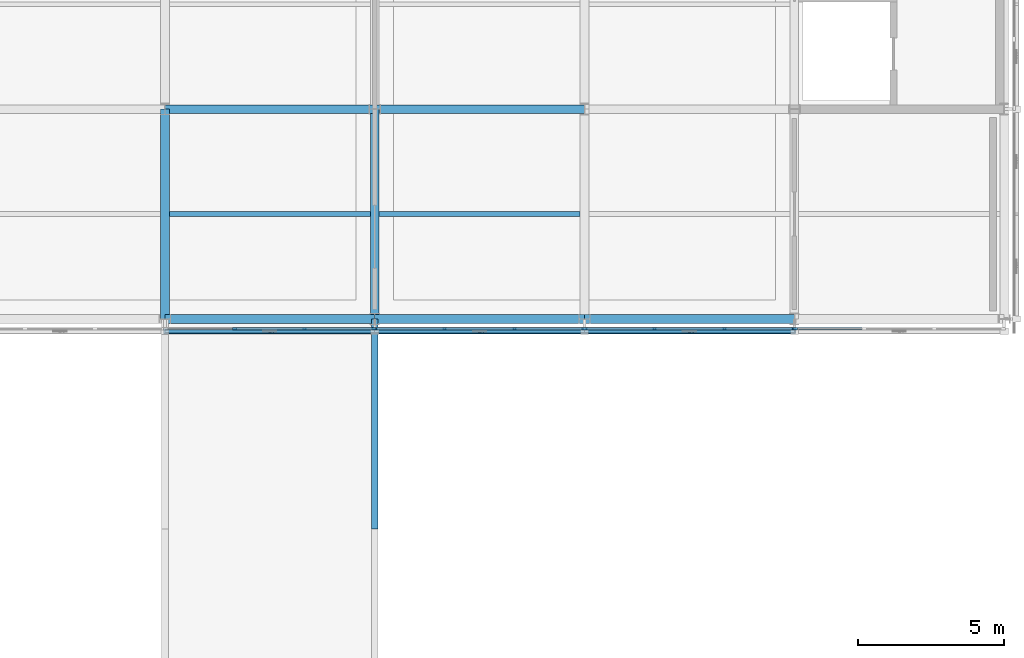
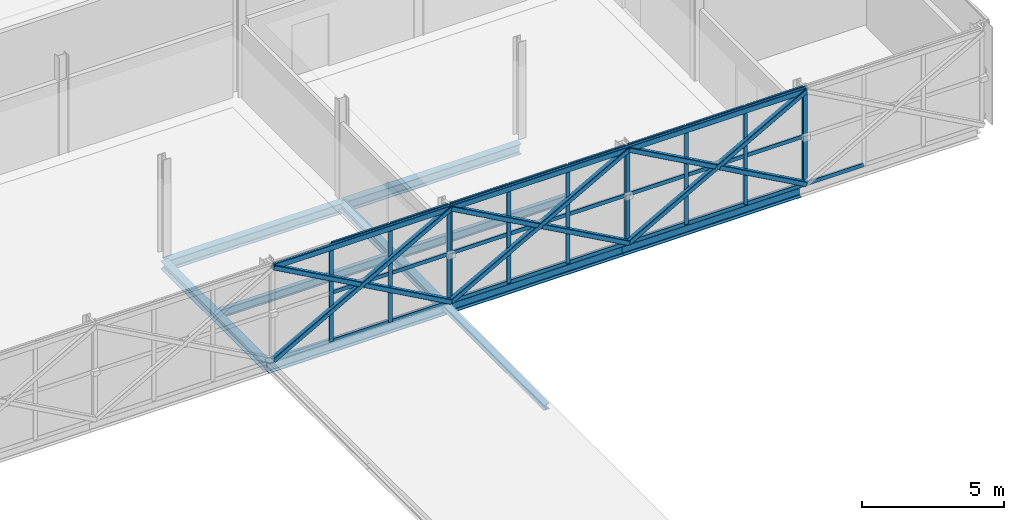
# One storey, part 51 of 126: 49 members, 10 beams, 4 elements without a shape of their own.
"""IFC4 building model written with IfcOpenShell, lengths in metres."""

import ifcopenshell
import ifcopenshell.guid

model = None  # the IFC model being written
_history = None  # IfcOwnerHistory: only IFC2X3 demands one
_inside = {}  # id of a spatial element -> (the spatial element, [elements in it])
_under = {}  # id of a project, library or spatial element -> (it, [spatial elements below it])
_declared = {}  # id of a project -> (the project, [libraries it declares])
_typed = {}  # id of a type object -> (the type object, [elements of that type])
_made_of = {}  # id of a material, layer set ... -> (it, [elements and type objects made of it])


def new_model(schema):
    """Start an empty IFC model of exactly this schema.

    Asked for "IFC4X3", IfcOpenShell would pick the latest addendum, in which some entities
    have other attributes; the version numbers below select the first issue.
    IFC2X3 requires an IfcOwnerHistory on every rooted entity: one is made here for all.
    """
    global model, _history
    if schema == "IFC4X3":
        model = ifcopenshell.file(schema_version=(4, 3, 0, 0))
    else:
        model = ifcopenshell.file(schema=schema)
    _inside.clear()
    _under.clear()
    _declared.clear()
    _typed.clear()
    _made_of.clear()
    _history = None
    if model.schema == "IFC2X3":
        org = make("IfcOrganization", Name="unknown")
        user = make(
            "IfcPersonAndOrganization",
            ThePerson=make("IfcPerson", FamilyName="unknown"),
            TheOrganization=org,
        )
        app = make(
            "IfcApplication",
            ApplicationDeveloper=org,
            Version="unknown",
            ApplicationFullName="unknown",
            ApplicationIdentifier="unknown",
        )
        _history = make(
            "IfcOwnerHistory",
            OwningUser=user,
            OwningApplication=app,
            ChangeAction="ADDED",
            CreationDate=0,
        )
    return model


def make(cls, **values):
    """One entity of the class cls with the attributes given. An attribute that is None is left unset."""
    return model.create_entity(
        cls, **{name: value for name, value in values.items() if value is not None}
    )


def rooted(cls, **values):
    """An entity with a GlobalId (a new one), such as an element, a storey or a relation."""
    return make(cls, GlobalId=ifcopenshell.guid.new(), OwnerHistory=_history, **values)


def si_unit(unit_type, name, prefix=None):
    """IfcSIUnit, for example si_unit("LENGTHUNIT", "METRE", prefix="MILLI")."""
    return make("IfcSIUnit", UnitType=unit_type, Prefix=prefix, Name=name)


def assignment(units):
    """IfcUnitAssignment: the units of a project."""
    return None if units is None else make("IfcUnitAssignment", Units=units)


def point(xyz):
    """IfcCartesianPoint."""
    return None if xyz is None else make("IfcCartesianPoint", Coordinates=xyz)


def direction(xyz):
    """IfcDirection."""
    return None if xyz is None else make("IfcDirection", DirectionRatios=xyz)


def frame(location, z_axis=None, x_axis=None):
    """IfcAxis2Placement3D, a coordinate frame: its origin and axes. An axis left out is left unset."""
    return make(
        "IfcAxis2Placement3D",
        Location=point(location),
        Axis=direction(z_axis),
        RefDirection=direction(x_axis),
    )


def frame_2d(location, x_axis=None):
    """IfcAxis2Placement2D, a coordinate frame in the plane: its origin and x axis."""
    return make(
        "IfcAxis2Placement2D", Location=point(location), RefDirection=direction(x_axis)
    )


def origin():
    """The frame at (0, 0, 0) with its axes left unset."""
    return frame((0.0, 0.0, 0.0))


def origin_2d():
    """The frame at (0, 0) in the plane with its x axis left unset."""
    return frame_2d((0.0, 0.0))


def place(relative_to, where):
    """IfcLocalPlacement: puts the frame where relative to a parent placement (None: the world)."""
    return make(
        "IfcLocalPlacement", PlacementRelTo=relative_to, RelativePlacement=where
    )


def context(
    kind, dimensions, precision=None, world=None, true_north=None, identifier=None
):
    """IfcGeometricRepresentationContext, for example the 3D "Model" context."""
    return make(
        "IfcGeometricRepresentationContext",
        ContextIdentifier=identifier,
        ContextType=kind,
        CoordinateSpaceDimension=dimensions,
        Precision=precision,
        WorldCoordinateSystem=world,
        TrueNorth=true_north,
    )


def subcontext(parent, identifier, kind, view, scale=None):
    """IfcGeometricRepresentationSubContext, for example "Body" below "Model"."""
    return make(
        "IfcGeometricRepresentationSubContext",
        ContextIdentifier=identifier,
        ContextType=kind,
        ParentContext=parent,
        TargetScale=scale,
        TargetView=view,
    )


def project(units=None, contexts=None):
    """IfcProject with its units and contexts."""
    return rooted(
        "IfcProject",
        Name="project",
        RepresentationContexts=contexts,
        UnitsInContext=assignment(units),
    )


def spatial(cls, under=None, at=None, **own):
    """A site, building, storey or space (cls), placed at a placement, below another one or the project."""
    s = rooted(cls, ObjectPlacement=at, **own)
    if under is not None:
        _under.setdefault(under.id(), (under, []))[1].append(s)
    return s


def profile(cls, at=None, kind="AREA", **sizes):
    """A parametric profile (cls). Its sizes go by their IFC names, for example OverallWidth=200.0."""
    return make(cls, ProfileType=kind, Position=at, **sizes)


def rectangle(**sizes):
    """IfcRectangleProfileDef."""
    return profile("IfcRectangleProfileDef", **sizes)


def hollow_rectangle(**sizes):
    """IfcRectangleHollowProfileDef."""
    return profile("IfcRectangleHollowProfileDef", **sizes)


def i_section(**sizes):
    """IfcIShapeProfileDef."""
    return profile("IfcIShapeProfileDef", **sizes)


def extrude(swept, where, along, depth):
    """IfcExtrudedAreaSolid: the profile swept, set in the frame where, extruded along a direction by depth."""
    return make(
        "IfcExtrudedAreaSolid",
        SweptArea=swept,
        Position=where,
        ExtrudedDirection=direction(along),
        Depth=depth,
    )


def shape(context_of_items, identifier, shape_type, items):
    """IfcShapeRepresentation: the items that make up one representation, for example the "Body"."""
    return make(
        "IfcShapeRepresentation",
        ContextOfItems=context_of_items,
        RepresentationIdentifier=identifier,
        RepresentationType=shape_type,
        Items=items,
    )


def material(Name=None, Category=None):
    """IfcMaterial."""
    return make("IfcMaterial", Name=Name, Category=Category)


def material_profile(
    of_material, cross_section, Name=None, Category=None, Priority=None
):
    """IfcMaterialProfile: a cross section and its material."""
    return make(
        "IfcMaterialProfile",
        Name=Name,
        Material=of_material,
        Profile=cross_section,
        Priority=Priority,
        Category=Category,
    )


def profile_set(profiles, Name=None, composite=None):
    """IfcMaterialProfileSet."""
    return make(
        "IfcMaterialProfileSet",
        Name=Name,
        MaterialProfiles=profiles,
        CompositeProfile=composite,
    )


def made_of(thing, what):
    """Note that an element or type object is made of a material, layer set ...; save() writes the relation."""
    if what is not None:
        _made_of.setdefault(what.id(), (what, []))[1].append(thing)
    return thing


def type_object(cls, material=None, **own):
    """A type object (cls), such as IfcWallType, which elements share."""
    return made_of(rooted(cls, **own), material)


def element(
    cls,
    number,
    at=None,
    inside=None,
    cuts=None,
    type_object=None,
    material=None,
    context=None,
    identifier="Body",
    shape_type=None,
    held_by="IfcProductDefinitionShape",
    body=None,
    shapes=None,
    **own,
):
    """One element of the class cls, such as IfcWall. Its Tag is "e" and its number.

    at: its placement. inside: the storey or other place that contains it. cuts: it is an
    opening in that element (IfcRelVoidsElement). A single representation is given by context,
    identifier, shape_type and body (its items); several are given by shapes. held_by: the class
    of the entity that holds the representations. save() writes the other relations.
    """
    e = rooted(cls, Tag="e%d" % number, ObjectPlacement=at, **own)
    if body is not None:
        shapes = [shape(context, identifier, shape_type, body)]
    if shapes is not None:
        e.Representation = make(held_by, Representations=shapes)
    if inside is not None:
        _inside.setdefault(inside.id(), (inside, []))[1].append(e)
    if cuts is not None:
        rooted(
            "IfcRelVoidsElement", RelatingBuildingElement=cuts, RelatedOpeningElement=e
        )
    if type_object is not None:
        _typed.setdefault(type_object.id(), (type_object, []))[1].append(e)
    return made_of(e, material)


def aggregate(whole, parts):
    """IfcRelAggregates: a whole, such as a stair, and the parts it consists of."""
    return rooted("IfcRelAggregates", RelatingObject=whole, RelatedObjects=parts)


def save(model, path):
    """Write the relations noted so far, then the file.

    IfcRelAggregates (storeys below a building ...), IfcRelContainedInSpatialStructure (elements
    in a storey), IfcRelDefinesByType, IfcRelAssociatesMaterial and IfcRelDeclares: one each for
    every whole, place, type object, material and project.
    """
    for whole, parts in _under.values():
        aggregate(whole, parts)
    for where, things in _inside.values():
        rooted(
            "IfcRelContainedInSpatialStructure",
            RelatedElements=things,
            RelatingStructure=where,
        )
    for kind, things in _typed.values():
        rooted("IfcRelDefinesByType", RelatedObjects=things, RelatingType=kind)
    for what, things in _made_of.values():
        rooted("IfcRelAssociatesMaterial", RelatedObjects=things, RelatingMaterial=what)
    for by, libraries in _declared.values():
        rooted("IfcRelDeclares", RelatingContext=by, RelatedDefinitions=libraries)
    model.write(path)


model = new_model("IFC4")

# Units and contexts
model_context = context("Model", 3, precision=1e-05, world=origin(), true_north=direction((0.0, 1.0)))
body_context = subcontext(model_context, "Body", "Model", "MODEL_VIEW")
ifc_project = project(units=[si_unit("LENGTHUNIT", "METRE"), si_unit("AREAUNIT", "SQUARE_METRE"), si_unit("VOLUMEUNIT", "CUBIC_METRE"), si_unit("PLANEANGLEUNIT", "RADIAN"), si_unit("MASSUNIT", "GRAM", prefix="KILO")], contexts=[model_context])

# Site, building, storey
site_placement = place(None, origin())
site = spatial("IfcSite", under=ifc_project, at=site_placement, CompositionType="ELEMENT")
building_placement = place(site_placement, origin())
building = spatial("IfcBuilding", under=site, at=building_placement, Name="Zlatovets Crest Museum", CompositionType="ELEMENT")
storey_placement = place(building_placement, frame((0.0, 0.0, 8.699951171875)))
storey = spatial("IfcBuildingStorey", under=building, at=storey_placement, Name="L02", CompositionType="ELEMENT", Elevation=8.699951171875)

# Beams
ifc_material_1 = material(Name="Structural steel S355J2", Category="steel")
ifc_material_profile_1 = material_profile(ifc_material_1, i_section(OverallWidth=0.300048828125, OverallDepth=0.35009765625, WebThickness=0.010009765625, FlangeThickness=0.017578125, FilletRadius=0.027099609375, at=origin_2d()), Name="HEA 360")
ifc_profile_set_1 = profile_set([ifc_material_profile_1], Name="Structural steel S355J2")
beam_type_1 = type_object("IfcBeamType", Name="Beam_B-03", PredefinedType="BEAM", material=ifc_profile_set_1)
for number, where, z_axis, x_axis, name in (
    (1, (79.199951171875, 86.39990234375, -0.39501953125), (0.0, 1.0, 0.0), (-1.0, 0.0, 0.0), "V1 L02 Grid Beam B-03"),
    (2, (86.39990234375, 86.39990234375, -0.39501953125), (0.0, 1.0, 0.0), (-1.0, 0.0, 0.0), "V1 L02 Grid Beam B-03"),
):
    element("IfcBeam", number, at=place(storey_placement, frame(where, z_axis=z_axis, x_axis=x_axis)), inside=storey, type_object=beam_type_1, Name=name, PredefinedType="BEAM", context=body_context, shape_type="SweptSolid", body=[
        extrude(i_section(OverallWidth=0.300048828125, OverallDepth=0.35009765625, WebThickness=0.010009765625, FlangeThickness=0.017578125, FilletRadius=0.027099609375, at=origin_2d()), origin(), (0.0, 0.0, 1.0), 7.2001953125),
    ])
ifc_material_profile_2 = material_profile(ifc_material_1, i_section(OverallWidth=0.239990234375, OverallDepth=0.22998046875, WebThickness=0.007568359375, FlangeThickness=0.011962890625, FilletRadius=0.02099609375, at=origin_2d()), Name="HEA 240")
ifc_profile_set_2 = profile_set([ifc_material_profile_2], Name="Structural steel S355J2")
beam_type_2 = type_object("IfcBeamType", Name="Beam_B-06", PredefinedType="BEAM", material=ifc_profile_set_2)
beam_1_placement = place(storey_placement, frame((86.39990234375, 79.199951171875, -0.3349609375), z_axis=(0.0, 1.0, 0.0), x_axis=(-1.0, 0.0, 0.0)))
element("IfcBeam", 3, at=beam_1_placement, inside=storey, type_object=beam_type_2, Name="Central Sculpture Court Cloister and Skywalk Roof Edge Beam", PredefinedType="BEAM", context=body_context, shape_type="SweptSolid", body=[
    extrude(i_section(OverallWidth=0.239990234375, OverallDepth=0.22998046875, WebThickness=0.007568359375, FlangeThickness=0.011962890625, FilletRadius=0.02099609375, at=origin_2d()), origin(), (0.0, 0.0, 1.0), 7.199951171875),
])
ifc_material_profile_3 = material_profile(ifc_material_1, i_section(OverallWidth=0.300048828125, OverallDepth=0.43994140625, WebThickness=0.011474609375, FlangeThickness=0.02099609375, FilletRadius=0.027099609375, at=origin_2d()), Name="HEA 450")
ifc_profile_set_3 = profile_set([ifc_material_profile_3], Name="Structural steel S355J2")
beam_type_3 = type_object("IfcBeamType", Name="Beam_B-10", PredefinedType="BEAM", material=ifc_profile_set_3)
beam_2_placement = place(storey_placement, frame((79.199951171875, 86.39990234375, -0.43994140625), z_axis=(1.0, 0.0, 0.0), x_axis=(0.0, 1.0, 0.0)))
element("IfcBeam", 4, at=beam_2_placement, inside=storey, type_object=beam_type_3, Name="V1 L02 Primary Girder B-10", PredefinedType="BEAM", context=body_context, shape_type="SweptSolid", body=[
    extrude(i_section(OverallWidth=0.300048828125, OverallDepth=0.43994140625, WebThickness=0.011474609375, FlangeThickness=0.02099609375, FilletRadius=0.027099609375, at=origin_2d()), origin(), (0.0, 0.0, 1.0), 7.199951171875),
])
beam_3_placement = place(storey_placement, frame((86.39990234375, 86.39990234375, -0.43994140625), z_axis=(1.0, 0.0, 0.0), x_axis=(0.0, 1.0, 0.0)))
element("IfcBeam", 5, at=beam_3_placement, inside=storey, type_object=beam_type_3, Name="V1 L02 Primary Girder B-10", PredefinedType="BEAM", context=body_context, shape_type="SweptSolid", body=[
    extrude(i_section(OverallWidth=0.300048828125, OverallDepth=0.43994140625, WebThickness=0.011474609375, FlangeThickness=0.02099609375, FilletRadius=0.027099609375, at=origin_2d()), origin(), (0.0, 0.0, 1.0), 7.2001953125),
])
for number, where, z_axis, x_axis, name in (
    (6, (93.60009765625, 86.39990234375, -0.43994140625), (1.0, 0.0, 0.0), (0.0, 1.0, 0.0), "V1 L02 Primary Girder B-10"),
    (7, (79.199951171875, 93.60009765625, -0.43994140625), (1.0, 0.0, 0.0), (0.0, 1.0, 0.0), "V1 L02 Primary Girder B-10"),
):
    element("IfcBeam", number, at=place(storey_placement, frame(where, z_axis=z_axis, x_axis=x_axis)), inside=storey, type_object=beam_type_3, Name=name, PredefinedType="BEAM", context=body_context, shape_type="SweptSolid", body=[
        extrude(i_section(OverallWidth=0.300048828125, OverallDepth=0.43994140625, WebThickness=0.011474609375, FlangeThickness=0.02099609375, FilletRadius=0.027099609375, at=origin_2d()), origin(), (0.0, 0.0, 1.0), 7.199951171875),
    ])
beam_4_placement = place(storey_placement, frame((86.39990234375, 93.60009765625, -0.43994140625), z_axis=(1.0, 0.0, 0.0), x_axis=(0.0, 1.0, 0.0)))
element("IfcBeam", 8, at=beam_4_placement, inside=storey, type_object=beam_type_3, Name="V1 L02 Primary Girder B-10", PredefinedType="BEAM", context=body_context, shape_type="SweptSolid", body=[
    extrude(i_section(OverallWidth=0.300048828125, OverallDepth=0.43994140625, WebThickness=0.011474609375, FlangeThickness=0.02099609375, FilletRadius=0.027099609375, at=origin_2d()), origin(), (0.0, 0.0, 1.0), 7.2001953125),
])
ifc_material_profile_4 = material_profile(ifc_material_1, i_section(OverallWidth=0.169921875, OverallDepth=0.360107421875, WebThickness=0.008056640625, FlangeThickness=0.0126953125, FilletRadius=0.01806640625, at=origin_2d()), Name="IPE 360")
ifc_profile_set_4 = profile_set([ifc_material_profile_4], Name="Structural steel S355J2")
beam_type_4 = type_object("IfcBeamType", Name="Beam_J-01", PredefinedType="JOIST", material=ifc_profile_set_4)
for number, where, z_axis, x_axis, name in (
    (9, (79.35009765625, 90.0, -0.39990234375), (1.0, 0.0, 0.0), (0.0, 1.0, 0.0), "V1 L02 Composite Joist J-01"),
    (10, (86.550048828125, 90.0, -0.39990234375), (1.0, 0.0, 0.0), (0.0, 1.0, 0.0), "V1 L02 Composite Joist J-01"),
):
    element("IfcBeam", number, at=place(storey_placement, frame(where, z_axis=z_axis, x_axis=x_axis)), inside=storey, type_object=beam_type_4, Name=name, PredefinedType="JOIST", context=body_context, shape_type="SweptSolid", body=[
        extrude(i_section(OverallWidth=0.169921875, OverallDepth=0.360107421875, WebThickness=0.008056640625, FlangeThickness=0.0126953125, FilletRadius=0.01806640625, at=origin_2d()), origin(), (0.0, 0.0, 1.0), 6.89990234375),
    ])

# Curtain wall, members
ifc_material_2 = material(Name="Bronze-anodised aluminium and low-E triple glass", Category="aluminium")
curtain_wall_type_1 = type_object("IfcCurtainWallType", Name="CW_CW-V1-L02-M3", PredefinedType="NOTDEFINED", material=ifc_material_2)
curtain_wall_1_placement = place(storey_placement, origin())
curtain_wall_1 = element("IfcCurtainWall", 11, at=curtain_wall_1_placement, inside=storey, type_object=curtain_wall_type_1, Name="V1 L02 Secession Foyer Clear Curtain Wall", PredefinedType="NOTDEFINED")
ifc_material_3 = material(Name="Bronze-anodised aluminium EN AW-6060", Category="aluminium")
ifc_material_profile_5 = material_profile(ifc_material_3, rectangle(XDim=0.080078125, YDim=0.159912109375, at=origin_2d()), Name="ALU 80x160")
ifc_profile_set_5 = profile_set([ifc_material_profile_5], Name="Bronze-anodised aluminium EN AW-6060")
member_type_1 = type_object("IfcMemberType", Name="CWMull_M1", PredefinedType="MULLION", material=ifc_profile_set_5)
member_1_placement = place(storey_placement, frame((81.60009765625, 86.06005859375, 0.0), z_axis=(0.0, 0.0, 1.0), x_axis=(0.0, 1.0, 0.0)))
member_1 = element("IfcMember", 12, at=member_1_placement, type_object=member_type_1, Name="CW-V1-L02-M3 mullion 2", PredefinedType="MULLION", context=body_context, shape_type="SweptSolid", body=[
    extrude(rectangle(XDim=0.080078125, YDim=0.159912109375, at=origin_2d()), origin(), (0.0, 0.0, 1.0), 4.199951171875),
])
member_2_placement = place(storey_placement, frame((84.0, 86.06005859375, 0.0), z_axis=(0.0, 0.0, 1.0), x_axis=(0.0, 1.0, 0.0)))
member_2 = element("IfcMember", 13, at=member_2_placement, type_object=member_type_1, Name="CW-V1-L02-M3 mullion 3", PredefinedType="MULLION", context=body_context, shape_type="SweptSolid", body=[
    extrude(rectangle(XDim=0.080078125, YDim=0.159912109375, at=origin_2d()), origin(), (0.0, 0.0, 1.0), 4.199951171875),
])
member_3_placement = place(storey_placement, frame((86.3701171875, 86.06005859375, 0.0), z_axis=(0.0, 0.0, 1.0), x_axis=(0.0, 1.0, 0.0)))
member_3 = element("IfcMember", 14, at=member_3_placement, type_object=member_type_1, Name="CW-V1-L02-M3 mullion 4", PredefinedType="MULLION", context=body_context, shape_type="SweptSolid", body=[
    extrude(rectangle(XDim=0.080078125, YDim=0.159912109375, at=origin_2d()), origin(), (0.0, 0.0, 1.0), 4.199951171875),
])

curtain_wall_type_2 = type_object("IfcCurtainWallType", Name="CW_CW-V1-L02-M0", PredefinedType="NOTDEFINED", material=ifc_material_2)
curtain_wall_2_placement = place(storey_placement, origin())
curtain_wall_2 = element("IfcCurtainWall", 15, at=curtain_wall_2_placement, inside=storey, type_object=curtain_wall_type_2, Name="V1 L02 Secession Foyer Clear Curtain Wall", PredefinedType="NOTDEFINED")
member_4_placement = place(storey_placement, frame((86.429931640625, 86.06005859375, 0.0), z_axis=(0.0, 0.0, 1.0), x_axis=(0.0, 1.0, 0.0)))
member_4 = element("IfcMember", 16, at=member_4_placement, type_object=member_type_1, Name="CW-V1-L02-M0 mullion 1", PredefinedType="MULLION", context=body_context, shape_type="SweptSolid", body=[
    extrude(rectangle(XDim=0.080078125, YDim=0.159912109375, at=origin_2d()), origin(), (0.0, 0.0, 1.0), 4.199951171875),
])
member_5_placement = place(storey_placement, frame((88.800048828125, 86.06005859375, 0.0), z_axis=(0.0, 0.0, 1.0), x_axis=(0.0, 1.0, 0.0)))
member_5 = element("IfcMember", 17, at=member_5_placement, type_object=member_type_1, Name="CW-V1-L02-M0 mullion 2", PredefinedType="MULLION", context=body_context, shape_type="SweptSolid", body=[
    extrude(rectangle(XDim=0.080078125, YDim=0.159912109375, at=origin_2d()), origin(), (0.0, 0.0, 1.0), 4.199951171875),
])
member_6_placement = place(storey_placement, frame((91.199951171875, 86.06005859375, 0.0), z_axis=(0.0, 0.0, 1.0), x_axis=(0.0, 1.0, 0.0)))
member_6 = element("IfcMember", 18, at=member_6_placement, type_object=member_type_1, Name="CW-V1-L02-M0 mullion 3", PredefinedType="MULLION", context=body_context, shape_type="SweptSolid", body=[
    extrude(rectangle(XDim=0.080078125, YDim=0.159912109375, at=origin_2d()), origin(), (0.0, 0.0, 1.0), 4.199951171875),
])
member_7_placement = place(storey_placement, frame((93.570068359375, 86.06005859375, 0.0), z_axis=(0.0, 0.0, 1.0), x_axis=(0.0, 1.0, 0.0)))
member_7 = element("IfcMember", 19, at=member_7_placement, type_object=member_type_1, Name="CW-V1-L02-M0 mullion 4", PredefinedType="MULLION", context=body_context, shape_type="SweptSolid", body=[
    extrude(rectangle(XDim=0.080078125, YDim=0.159912109375, at=origin_2d()), origin(), (0.0, 0.0, 1.0), 4.199951171875),
])

curtain_wall_type_3 = type_object("IfcCurtainWallType", Name="CW_CW-V1-L02-M1", PredefinedType="NOTDEFINED", material=ifc_material_2)
curtain_wall_3_placement = place(storey_placement, origin())
curtain_wall_3 = element("IfcCurtainWall", 20, at=curtain_wall_3_placement, inside=storey, type_object=curtain_wall_type_3, Name="V1 L02 Secession Foyer Clear Curtain Wall", PredefinedType="NOTDEFINED")
member_8_placement = place(storey_placement, frame((93.6298828125, 86.06005859375, 0.0), z_axis=(0.0, 0.0, 1.0), x_axis=(0.0, 1.0, 0.0)))
member_8 = element("IfcMember", 21, at=member_8_placement, type_object=member_type_1, Name="CW-V1-L02-M1 mullion 1", PredefinedType="MULLION", context=body_context, shape_type="SweptSolid", body=[
    extrude(rectangle(XDim=0.080078125, YDim=0.159912109375, at=origin_2d()), origin(), (0.0, 0.0, 1.0), 4.199951171875),
])
member_9_placement = place(storey_placement, frame((96.0, 86.06005859375, 0.0), z_axis=(0.0, 0.0, 1.0), x_axis=(0.0, 1.0, 0.0)))
member_9 = element("IfcMember", 22, at=member_9_placement, type_object=member_type_1, Name="CW-V1-L02-M1 mullion 2", PredefinedType="MULLION", context=body_context, shape_type="SweptSolid", body=[
    extrude(rectangle(XDim=0.080078125, YDim=0.159912109375, at=origin_2d()), origin(), (0.0, 0.0, 1.0), 4.199951171875),
])
member_10_placement = place(storey_placement, frame((98.39990234375, 86.06005859375, 0.0), z_axis=(0.0, 0.0, 1.0), x_axis=(0.0, 1.0, 0.0)))
member_10 = element("IfcMember", 23, at=member_10_placement, type_object=member_type_1, Name="CW-V1-L02-M1 mullion 3", PredefinedType="MULLION", context=body_context, shape_type="SweptSolid", body=[
    extrude(rectangle(XDim=0.080078125, YDim=0.159912109375, at=origin_2d()), origin(), (0.0, 0.0, 1.0), 4.199951171875),
])
member_11_placement = place(storey_placement, frame((100.77001953125, 86.06005859375, 0.0), z_axis=(0.0, 0.0, 1.0), x_axis=(0.0, 1.0, 0.0)))
member_11 = element("IfcMember", 24, at=member_11_placement, type_object=member_type_1, Name="CW-V1-L02-M1 mullion 4", PredefinedType="MULLION", context=body_context, shape_type="SweptSolid", body=[
    extrude(rectangle(XDim=0.080078125, YDim=0.159912109375, at=origin_2d()), origin(), (0.0, 0.0, 1.0), 4.199951171875),
])

# Curtain wall, member
curtain_wall_type_4 = type_object("IfcCurtainWallType", Name="CW_CW-V1-L02-M2", PredefinedType="NOTDEFINED", material=ifc_material_2)
curtain_wall_4_placement = place(storey_placement, origin())
curtain_wall_4 = element("IfcCurtainWall", 25, at=curtain_wall_4_placement, inside=storey, type_object=curtain_wall_type_4, Name="V1 L02 Secession Foyer Clear Curtain Wall", PredefinedType="NOTDEFINED")
member_12_placement = place(storey_placement, frame((100.830078125, 86.06005859375, 0.0), z_axis=(0.0, 0.0, 1.0), x_axis=(0.0, 1.0, 0.0)))
member_12 = element("IfcMember", 26, at=member_12_placement, type_object=member_type_1, Name="CW-V1-L02-M2 mullion 1", PredefinedType="MULLION", context=body_context, shape_type="SweptSolid", body=[
    extrude(rectangle(XDim=0.080078125, YDim=0.159912109375, at=origin_2d()), origin(), (0.0, 0.0, 1.0), 4.199951171875),
])

# Member
ifc_material_profile_6 = material_profile(ifc_material_3, rectangle(XDim=0.080078125, YDim=0.159912109375, at=origin_2d()), Name="ALU 80x160")
ifc_profile_set_6 = profile_set([ifc_material_profile_6], Name="Bronze-anodised aluminium EN AW-6060")
member_type_2 = type_object("IfcMemberType", Name="CWTrans_T1", PredefinedType="USERDEFINED", material=ifc_profile_set_6)
member_13_placement = place(storey_placement, frame((81.6298828125, 86.06005859375, 0.030029296875), z_axis=(1.0, 0.0, 0.0), x_axis=(0.0, 1.0, 0.0)))
member_13 = element("IfcMember", 27, at=member_13_placement, type_object=member_type_2, Name="CW-V1-L02-M3 transom 2.1", ObjectType="TRANSOM", PredefinedType="USERDEFINED", context=body_context, shape_type="SweptSolid", body=[
    extrude(rectangle(XDim=0.080078125, YDim=0.159912109375, at=origin_2d()), origin(), (0.0, 0.0, 1.0), 2.340087890625),
])

member_14_placement = place(storey_placement, frame((81.6298828125, 86.06005859375, 2.10009765625), z_axis=(1.0, 0.0, 0.0), x_axis=(0.0, 1.0, 0.0)))
member_14 = element("IfcMember", 28, at=member_14_placement, type_object=member_type_2, Name="CW-V1-L02-M3 transom 2.2", ObjectType="TRANSOM", PredefinedType="USERDEFINED", context=body_context, shape_type="SweptSolid", body=[
    extrude(rectangle(XDim=0.080078125, YDim=0.159912109375, at=origin_2d()), origin(), (0.0, 0.0, 1.0), 2.340087890625),
])

member_15_placement = place(storey_placement, frame((81.6298828125, 86.06005859375, 4.170166015625), z_axis=(1.0, 0.0, 0.0), x_axis=(0.0, 1.0, 0.0)))
member_15 = element("IfcMember", 29, at=member_15_placement, type_object=member_type_2, Name="CW-V1-L02-M3 transom 2.3", ObjectType="TRANSOM", PredefinedType="USERDEFINED", context=body_context, shape_type="SweptSolid", body=[
    extrude(rectangle(XDim=0.080078125, YDim=0.159912109375, at=origin_2d()), origin(), (0.0, 0.0, 1.0), 2.340087890625),
])

member_16_placement = place(storey_placement, frame((84.030029296875, 86.06005859375, 0.030029296875), z_axis=(1.0, 0.0, 0.0), x_axis=(0.0, 1.0, 0.0)))
member_16 = element("IfcMember", 30, at=member_16_placement, type_object=member_type_2, Name="CW-V1-L02-M3 transom 3.1", ObjectType="TRANSOM", PredefinedType="USERDEFINED", context=body_context, shape_type="SweptSolid", body=[
    extrude(rectangle(XDim=0.080078125, YDim=0.159912109375, at=origin_2d()), origin(), (0.0, 0.0, 1.0), 2.31005859375),
])

member_17_placement = place(storey_placement, frame((84.030029296875, 86.06005859375, 2.10009765625), z_axis=(1.0, 0.0, 0.0), x_axis=(0.0, 1.0, 0.0)))
member_17 = element("IfcMember", 31, at=member_17_placement, type_object=member_type_2, Name="CW-V1-L02-M3 transom 3.2", ObjectType="TRANSOM", PredefinedType="USERDEFINED", context=body_context, shape_type="SweptSolid", body=[
    extrude(rectangle(XDim=0.080078125, YDim=0.159912109375, at=origin_2d()), origin(), (0.0, 0.0, 1.0), 2.31005859375),
])

member_18_placement = place(storey_placement, frame((84.030029296875, 86.06005859375, 4.170166015625), z_axis=(1.0, 0.0, 0.0), x_axis=(0.0, 1.0, 0.0)))
member_18 = element("IfcMember", 32, at=member_18_placement, type_object=member_type_2, Name="CW-V1-L02-M3 transom 3.3", ObjectType="TRANSOM", PredefinedType="USERDEFINED", context=body_context, shape_type="SweptSolid", body=[
    extrude(rectangle(XDim=0.080078125, YDim=0.159912109375, at=origin_2d()), origin(), (0.0, 0.0, 1.0), 2.31005859375),
])

aggregate(curtain_wall_1, [member_1, member_2, member_3, member_13, member_14, member_15, member_16, member_17, member_18])

member_19_placement = place(storey_placement, frame((86.4599609375, 86.06005859375, 0.030029296875), z_axis=(1.0, 0.0, 0.0), x_axis=(0.0, 1.0, 0.0)))
member_19 = element("IfcMember", 33, at=member_19_placement, type_object=member_type_2, Name="CW-V1-L02-M0 transom 1.1", ObjectType="TRANSOM", PredefinedType="USERDEFINED", context=body_context, shape_type="SweptSolid", body=[
    extrude(rectangle(XDim=0.080078125, YDim=0.159912109375, at=origin_2d()), origin(), (0.0, 0.0, 1.0), 2.31005859375),
])

member_20_placement = place(storey_placement, frame((86.4599609375, 86.06005859375, 2.10009765625), z_axis=(1.0, 0.0, 0.0), x_axis=(0.0, 1.0, 0.0)))
member_20 = element("IfcMember", 34, at=member_20_placement, type_object=member_type_2, Name="CW-V1-L02-M0 transom 1.2", ObjectType="TRANSOM", PredefinedType="USERDEFINED", context=body_context, shape_type="SweptSolid", body=[
    extrude(rectangle(XDim=0.080078125, YDim=0.159912109375, at=origin_2d()), origin(), (0.0, 0.0, 1.0), 2.31005859375),
])

member_21_placement = place(storey_placement, frame((86.4599609375, 86.06005859375, 4.170166015625), z_axis=(1.0, 0.0, 0.0), x_axis=(0.0, 1.0, 0.0)))
member_21 = element("IfcMember", 35, at=member_21_placement, type_object=member_type_2, Name="CW-V1-L02-M0 transom 1.3", ObjectType="TRANSOM", PredefinedType="USERDEFINED", context=body_context, shape_type="SweptSolid", body=[
    extrude(rectangle(XDim=0.080078125, YDim=0.159912109375, at=origin_2d()), origin(), (0.0, 0.0, 1.0), 2.31005859375),
])

member_22_placement = place(storey_placement, frame((88.830078125, 86.06005859375, 0.030029296875), z_axis=(1.0, 0.0, 0.0), x_axis=(0.0, 1.0, 0.0)))
member_22 = element("IfcMember", 36, at=member_22_placement, type_object=member_type_2, Name="CW-V1-L02-M0 transom 2.1", ObjectType="TRANSOM", PredefinedType="USERDEFINED", context=body_context, shape_type="SweptSolid", body=[
    extrude(rectangle(XDim=0.080078125, YDim=0.159912109375, at=origin_2d()), origin(), (0.0, 0.0, 1.0), 2.33984375),
])

member_23_placement = place(storey_placement, frame((88.830078125, 86.06005859375, 2.10009765625), z_axis=(1.0, 0.0, 0.0), x_axis=(0.0, 1.0, 0.0)))
member_23 = element("IfcMember", 37, at=member_23_placement, type_object=member_type_2, Name="CW-V1-L02-M0 transom 2.2", ObjectType="TRANSOM", PredefinedType="USERDEFINED", context=body_context, shape_type="SweptSolid", body=[
    extrude(rectangle(XDim=0.080078125, YDim=0.159912109375, at=origin_2d()), origin(), (0.0, 0.0, 1.0), 2.33984375),
])

member_24_placement = place(storey_placement, frame((88.830078125, 86.06005859375, 4.170166015625), z_axis=(1.0, 0.0, 0.0), x_axis=(0.0, 1.0, 0.0)))
member_24 = element("IfcMember", 38, at=member_24_placement, type_object=member_type_2, Name="CW-V1-L02-M0 transom 2.3", ObjectType="TRANSOM", PredefinedType="USERDEFINED", context=body_context, shape_type="SweptSolid", body=[
    extrude(rectangle(XDim=0.080078125, YDim=0.159912109375, at=origin_2d()), origin(), (0.0, 0.0, 1.0), 2.33984375),
])

member_25_placement = place(storey_placement, frame((91.22998046875, 86.06005859375, 0.030029296875), z_axis=(1.0, 0.0, 0.0), x_axis=(0.0, 1.0, 0.0)))
member_25 = element("IfcMember", 39, at=member_25_placement, type_object=member_type_2, Name="CW-V1-L02-M0 transom 3.1", ObjectType="TRANSOM", PredefinedType="USERDEFINED", context=body_context, shape_type="SweptSolid", body=[
    extrude(rectangle(XDim=0.080078125, YDim=0.159912109375, at=origin_2d()), origin(), (0.0, 0.0, 1.0), 2.31005859375),
])

member_26_placement = place(storey_placement, frame((91.22998046875, 86.06005859375, 2.10009765625), z_axis=(1.0, 0.0, 0.0), x_axis=(0.0, 1.0, 0.0)))
member_26 = element("IfcMember", 40, at=member_26_placement, type_object=member_type_2, Name="CW-V1-L02-M0 transom 3.2", ObjectType="TRANSOM", PredefinedType="USERDEFINED", context=body_context, shape_type="SweptSolid", body=[
    extrude(rectangle(XDim=0.080078125, YDim=0.159912109375, at=origin_2d()), origin(), (0.0, 0.0, 1.0), 2.31005859375),
])

member_27_placement = place(storey_placement, frame((91.22998046875, 86.06005859375, 4.170166015625), z_axis=(1.0, 0.0, 0.0), x_axis=(0.0, 1.0, 0.0)))
member_27 = element("IfcMember", 41, at=member_27_placement, type_object=member_type_2, Name="CW-V1-L02-M0 transom 3.3", ObjectType="TRANSOM", PredefinedType="USERDEFINED", context=body_context, shape_type="SweptSolid", body=[
    extrude(rectangle(XDim=0.080078125, YDim=0.159912109375, at=origin_2d()), origin(), (0.0, 0.0, 1.0), 2.31005859375),
])

aggregate(curtain_wall_2, [member_4, member_5, member_6, member_7, member_19, member_20, member_21, member_22, member_23, member_24, member_25, member_26, member_27])

member_28_placement = place(storey_placement, frame((93.659912109375, 86.06005859375, 0.030029296875), z_axis=(1.0, 0.0, 0.0), x_axis=(0.0, 1.0, 0.0)))
member_28 = element("IfcMember", 42, at=member_28_placement, type_object=member_type_2, Name="CW-V1-L02-M1 transom 1.1", ObjectType="TRANSOM", PredefinedType="USERDEFINED", context=body_context, shape_type="SweptSolid", body=[
    extrude(rectangle(XDim=0.080078125, YDim=0.159912109375, at=origin_2d()), origin(), (0.0, 0.0, 1.0), 2.31005859375),
])

member_29_placement = place(storey_placement, frame((93.659912109375, 86.06005859375, 2.10009765625), z_axis=(1.0, 0.0, 0.0), x_axis=(0.0, 1.0, 0.0)))
member_29 = element("IfcMember", 43, at=member_29_placement, type_object=member_type_2, Name="CW-V1-L02-M1 transom 1.2", ObjectType="TRANSOM", PredefinedType="USERDEFINED", context=body_context, shape_type="SweptSolid", body=[
    extrude(rectangle(XDim=0.080078125, YDim=0.159912109375, at=origin_2d()), origin(), (0.0, 0.0, 1.0), 2.31005859375),
])

member_30_placement = place(storey_placement, frame((93.659912109375, 86.06005859375, 4.170166015625), z_axis=(1.0, 0.0, 0.0), x_axis=(0.0, 1.0, 0.0)))
member_30 = element("IfcMember", 44, at=member_30_placement, type_object=member_type_2, Name="CW-V1-L02-M1 transom 1.3", ObjectType="TRANSOM", PredefinedType="USERDEFINED", context=body_context, shape_type="SweptSolid", body=[
    extrude(rectangle(XDim=0.080078125, YDim=0.159912109375, at=origin_2d()), origin(), (0.0, 0.0, 1.0), 2.31005859375),
])

member_31_placement = place(storey_placement, frame((96.030029296875, 86.06005859375, 0.030029296875), z_axis=(1.0, 0.0, 0.0), x_axis=(0.0, 1.0, 0.0)))
member_31 = element("IfcMember", 45, at=member_31_placement, type_object=member_type_2, Name="CW-V1-L02-M1 transom 2.1", ObjectType="TRANSOM", PredefinedType="USERDEFINED", context=body_context, shape_type="SweptSolid", body=[
    extrude(rectangle(XDim=0.080078125, YDim=0.159912109375, at=origin_2d()), origin(), (0.0, 0.0, 1.0), 2.340087890625),
])

member_32_placement = place(storey_placement, frame((96.030029296875, 86.06005859375, 2.10009765625), z_axis=(1.0, 0.0, 0.0), x_axis=(0.0, 1.0, 0.0)))
member_32 = element("IfcMember", 46, at=member_32_placement, type_object=member_type_2, Name="CW-V1-L02-M1 transom 2.2", ObjectType="TRANSOM", PredefinedType="USERDEFINED", context=body_context, shape_type="SweptSolid", body=[
    extrude(rectangle(XDim=0.080078125, YDim=0.159912109375, at=origin_2d()), origin(), (0.0, 0.0, 1.0), 2.340087890625),
])

member_33_placement = place(storey_placement, frame((96.030029296875, 86.06005859375, 4.170166015625), z_axis=(1.0, 0.0, 0.0), x_axis=(0.0, 1.0, 0.0)))
member_33 = element("IfcMember", 47, at=member_33_placement, type_object=member_type_2, Name="CW-V1-L02-M1 transom 2.3", ObjectType="TRANSOM", PredefinedType="USERDEFINED", context=body_context, shape_type="SweptSolid", body=[
    extrude(rectangle(XDim=0.080078125, YDim=0.159912109375, at=origin_2d()), origin(), (0.0, 0.0, 1.0), 2.340087890625),
])

member_34_placement = place(storey_placement, frame((98.429931640625, 86.06005859375, 0.030029296875), z_axis=(1.0, 0.0, 0.0), x_axis=(0.0, 1.0, 0.0)))
member_34 = element("IfcMember", 48, at=member_34_placement, type_object=member_type_2, Name="CW-V1-L02-M1 transom 3.1", ObjectType="TRANSOM", PredefinedType="USERDEFINED", context=body_context, shape_type="SweptSolid", body=[
    extrude(rectangle(XDim=0.080078125, YDim=0.159912109375, at=origin_2d()), origin(), (0.0, 0.0, 1.0), 2.31005859375),
])

member_35_placement = place(storey_placement, frame((98.429931640625, 86.06005859375, 2.10009765625), z_axis=(1.0, 0.0, 0.0), x_axis=(0.0, 1.0, 0.0)))
member_35 = element("IfcMember", 49, at=member_35_placement, type_object=member_type_2, Name="CW-V1-L02-M1 transom 3.2", ObjectType="TRANSOM", PredefinedType="USERDEFINED", context=body_context, shape_type="SweptSolid", body=[
    extrude(rectangle(XDim=0.080078125, YDim=0.159912109375, at=origin_2d()), origin(), (0.0, 0.0, 1.0), 2.31005859375),
])

member_36_placement = place(storey_placement, frame((98.429931640625, 86.06005859375, 4.170166015625), z_axis=(1.0, 0.0, 0.0), x_axis=(0.0, 1.0, 0.0)))
member_36 = element("IfcMember", 50, at=member_36_placement, type_object=member_type_2, Name="CW-V1-L02-M1 transom 3.3", ObjectType="TRANSOM", PredefinedType="USERDEFINED", context=body_context, shape_type="SweptSolid", body=[
    extrude(rectangle(XDim=0.080078125, YDim=0.159912109375, at=origin_2d()), origin(), (0.0, 0.0, 1.0), 2.31005859375),
])

aggregate(curtain_wall_3, [member_8, member_9, member_10, member_11, member_28, member_29, member_30, member_31, member_32, member_33, member_34, member_35, member_36])

member_37_placement = place(storey_placement, frame((100.860107421875, 86.06005859375, 0.030029296875), z_axis=(1.0, 0.0, 0.0), x_axis=(0.0, 1.0, 0.0)))
member_37 = element("IfcMember", 51, at=member_37_placement, type_object=member_type_2, Name="CW-V1-L02-M2 transom 1.1", ObjectType="TRANSOM", PredefinedType="USERDEFINED", context=body_context, shape_type="SweptSolid", body=[
    extrude(rectangle(XDim=0.080078125, YDim=0.159912109375, at=origin_2d()), origin(), (0.0, 0.0, 1.0), 2.309814453125),
])

aggregate(curtain_wall_4, [member_12, member_37])

# Members
ifc_material_4 = material(Name="Weathering bronze-steel S355J2W", Category="steel")
ifc_material_profile_7 = material_profile(ifc_material_4, hollow_rectangle(XDim=0.199951171875, YDim=0.199951171875, WallThickness=0.012451171875, InnerFilletRadius=0.012451171875, OuterFilletRadius=0.02490234375, at=origin_2d()), Name="SHS 200x200x12.5")
ifc_profile_set_7 = profile_set([ifc_material_profile_7], Name="Weathering bronze-steel S355J2W")
member_type_3 = type_object("IfcMemberType", Name="Lattice_XL-02", PredefinedType="BRACE", material=ifc_profile_set_7)
member_38_placement = place(storey_placement, frame((79.199951171875, 85.97998046875, 0.10009765625), z_axis=(0.874155877937, 0.0, 0.485645447903), x_axis=(0.0, 1.0, 0.0)))
element("IfcMember", 52, at=member_38_placement, inside=storey, type_object=member_type_3, Name="Continuous Bronze Lattice Diagonal", PredefinedType="BRACE", context=body_context, shape_type="SweptSolid", body=[
    extrude(hollow_rectangle(XDim=0.199951171875, YDim=0.199951171875, WallThickness=0.012451171875, InnerFilletRadius=0.012451171875, OuterFilletRadius=0.02490234375, at=origin_2d()), origin(), (0.0, 0.0, 1.0), 8.236572265625),
])
member_39_placement = place(storey_placement, frame((79.199951171875, 85.97998046875, 4.10009765625), z_axis=(0.874165862873, 0.0, -0.485627474703), x_axis=(0.0, 1.0, 0.0)))
element("IfcMember", 53, at=member_39_placement, inside=storey, type_object=member_type_3, Name="Split Crossing Bronze Lattice Diagonal Upper", PredefinedType="BRACE", context=body_context, shape_type="SweptSolid", body=[
    extrude(hollow_rectangle(XDim=0.199951171875, YDim=0.199951171875, WallThickness=0.012451171875, InnerFilletRadius=0.012451171875, OuterFilletRadius=0.02490234375, at=origin_2d()), origin(), (0.0, 0.0, 1.0), 4.0234375),
])
member_40_placement = place(storey_placement, frame((82.883056640625, 85.97998046875, 2.053955078125), z_axis=(0.874151551165, 0.0, -0.485653235958), x_axis=(0.0, 1.0, 0.0)))
element("IfcMember", 54, at=member_40_placement, inside=storey, type_object=member_type_3, Name="Split Crossing Bronze Lattice Diagonal Lower", PredefinedType="BRACE", context=body_context, shape_type="SweptSolid", body=[
    extrude(hollow_rectangle(XDim=0.199951171875, YDim=0.199951171875, WallThickness=0.012451171875, InnerFilletRadius=0.012451171875, OuterFilletRadius=0.02490234375, at=origin_2d()), origin(), (0.0, 0.0, 1.0), 4.023193359375),
])
member_41_placement = place(storey_placement, frame((86.39990234375, 85.97998046875, 0.10009765625), z_axis=(0.874162868644, 0.0, 0.485632864501), x_axis=(0.0, 1.0, 0.0)))
element("IfcMember", 55, at=member_41_placement, inside=storey, type_object=member_type_3, Name="Continuous Bronze Lattice Diagonal", PredefinedType="BRACE", context=body_context, shape_type="SweptSolid", body=[
    extrude(hollow_rectangle(XDim=0.199951171875, YDim=0.199951171875, WallThickness=0.012451171875, InnerFilletRadius=0.012451171875, OuterFilletRadius=0.02490234375, at=origin_2d()), origin(), (0.0, 0.0, 1.0), 8.236572265625),
])
for number, where, z_axis, x_axis, name in (
    (56, (86.39990234375, 85.97998046875, 4.10009765625), (0.874165862873, 0.0, -0.485627474703), (0.0, 1.0, 0.0), "Split Crossing Bronze Lattice Diagonal Upper"),
    (57, (90.0830078125, 85.97998046875, 2.053955078125), (0.874165862873, 0.0, -0.485627474703), (0.0, 1.0, 0.0), "Split Crossing Bronze Lattice Diagonal Lower"),
):
    element("IfcMember", number, at=place(storey_placement, frame(where, z_axis=z_axis, x_axis=x_axis)), inside=storey, type_object=member_type_3, Name=name, PredefinedType="BRACE", context=body_context, shape_type="SweptSolid", body=[
        extrude(hollow_rectangle(XDim=0.199951171875, YDim=0.199951171875, WallThickness=0.012451171875, InnerFilletRadius=0.012451171875, OuterFilletRadius=0.02490234375, at=origin_2d()), origin(), (0.0, 0.0, 1.0), 4.0234375),
    ])
member_42_placement = place(storey_placement, frame((93.60009765625, 85.97998046875, 0.10009765625), z_axis=(0.874155877937, 0.0, 0.485645447903), x_axis=(0.0, 1.0, 0.0)))
element("IfcMember", 58, at=member_42_placement, inside=storey, type_object=member_type_3, Name="Continuous Bronze Lattice Diagonal", PredefinedType="BRACE", context=body_context, shape_type="SweptSolid", body=[
    extrude(hollow_rectangle(XDim=0.199951171875, YDim=0.199951171875, WallThickness=0.012451171875, InnerFilletRadius=0.012451171875, OuterFilletRadius=0.02490234375, at=origin_2d()), origin(), (0.0, 0.0, 1.0), 8.236572265625),
])
member_43_placement = place(storey_placement, frame((93.60009765625, 85.97998046875, 4.10009765625), z_axis=(0.874151551165, 0.0, -0.485653235958), x_axis=(0.0, 1.0, 0.0)))
element("IfcMember", 59, at=member_43_placement, inside=storey, type_object=member_type_3, Name="Split Crossing Bronze Lattice Diagonal Upper", PredefinedType="BRACE", context=body_context, shape_type="SweptSolid", body=[
    extrude(hollow_rectangle(XDim=0.199951171875, YDim=0.199951171875, WallThickness=0.012451171875, InnerFilletRadius=0.012451171875, OuterFilletRadius=0.02490234375, at=origin_2d()), origin(), (0.0, 0.0, 1.0), 4.023193359375),
])
member_44_placement = place(storey_placement, frame((97.282958984375, 85.97998046875, 2.053955078125), z_axis=(0.874165862873, 0.0, -0.485627474703), x_axis=(0.0, 1.0, 0.0)))
element("IfcMember", 60, at=member_44_placement, inside=storey, type_object=member_type_3, Name="Split Crossing Bronze Lattice Diagonal Lower", PredefinedType="BRACE", context=body_context, shape_type="SweptSolid", body=[
    extrude(hollow_rectangle(XDim=0.199951171875, YDim=0.199951171875, WallThickness=0.012451171875, InnerFilletRadius=0.012451171875, OuterFilletRadius=0.02490234375, at=origin_2d()), origin(), (0.0, 0.0, 1.0), 4.0234375),
])
ifc_material_profile_8 = material_profile(ifc_material_4, hollow_rectangle(XDim=0.1201171875, YDim=0.239990234375, WallThickness=0.010009765625, InnerFilletRadius=0.010009765625, OuterFilletRadius=0.02001953125, at=origin_2d()), Name="RHS 120x240x10.0")
ifc_profile_set_8 = profile_set([ifc_material_profile_8], Name="Weathering bronze-steel S355J2W")
member_type_4 = type_object("IfcMemberType", Name="Lattice_XL-04", PredefinedType="CHORD", material=ifc_profile_set_8)
member_45_placement = place(storey_placement, frame((79.199951171875, 85.97998046875, 4.10009765625), z_axis=(1.0, 0.0, 0.0), x_axis=(0.0, 1.0, 0.0)))
element("IfcMember", 61, at=member_45_placement, inside=storey, type_object=member_type_4, Name="Art Nouveau Woven Cage Collector Ring Chord", PredefinedType="CHORD", context=body_context, shape_type="SweptSolid", body=[
    extrude(hollow_rectangle(XDim=0.1201171875, YDim=0.239990234375, WallThickness=0.010009765625, InnerFilletRadius=0.010009765625, OuterFilletRadius=0.02001953125, at=origin_2d()), origin(), (0.0, 0.0, 1.0), 7.199951171875),
])
member_46_placement = place(storey_placement, frame((86.39990234375, 85.97998046875, 4.10009765625), z_axis=(1.0, 0.0, 0.0), x_axis=(0.0, 1.0, 0.0)))
element("IfcMember", 62, at=member_46_placement, inside=storey, type_object=member_type_4, Name="Art Nouveau Woven Cage Collector Ring Chord", PredefinedType="CHORD", context=body_context, shape_type="SweptSolid", body=[
    extrude(hollow_rectangle(XDim=0.1201171875, YDim=0.239990234375, WallThickness=0.010009765625, InnerFilletRadius=0.010009765625, OuterFilletRadius=0.02001953125, at=origin_2d()), origin(), (0.0, 0.0, 1.0), 7.2001953125),
])
member_47_placement = place(storey_placement, frame((93.60009765625, 85.97998046875, 4.10009765625), z_axis=(1.0, 0.0, 0.0), x_axis=(0.0, 1.0, 0.0)))
element("IfcMember", 63, at=member_47_placement, inside=storey, type_object=member_type_4, Name="Art Nouveau Woven Cage Collector Ring Chord", PredefinedType="CHORD", context=body_context, shape_type="SweptSolid", body=[
    extrude(hollow_rectangle(XDim=0.1201171875, YDim=0.239990234375, WallThickness=0.010009765625, InnerFilletRadius=0.010009765625, OuterFilletRadius=0.02001953125, at=origin_2d()), origin(), (0.0, 0.0, 1.0), 7.199951171875),
])

save(model, "model.ifc")
